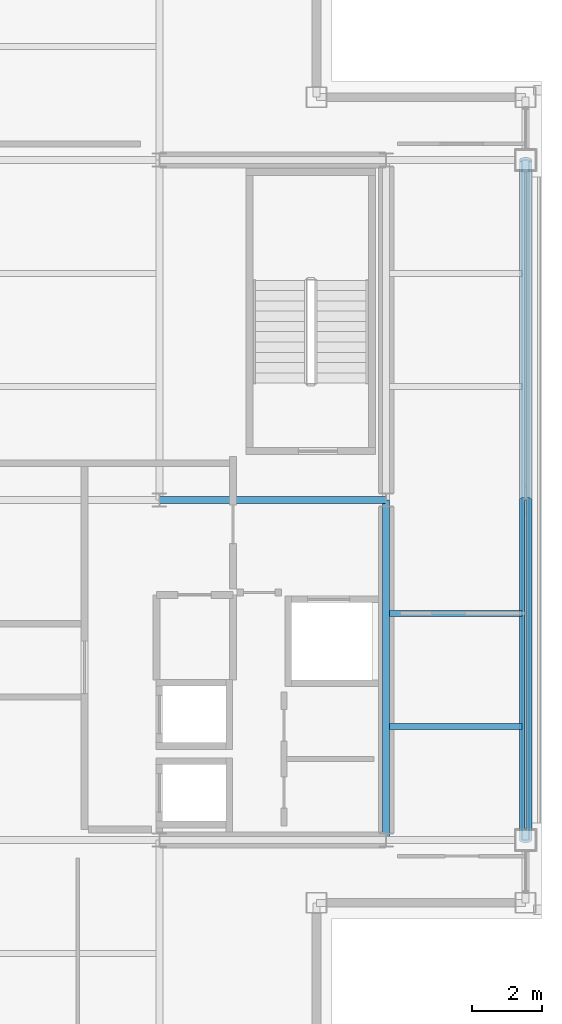
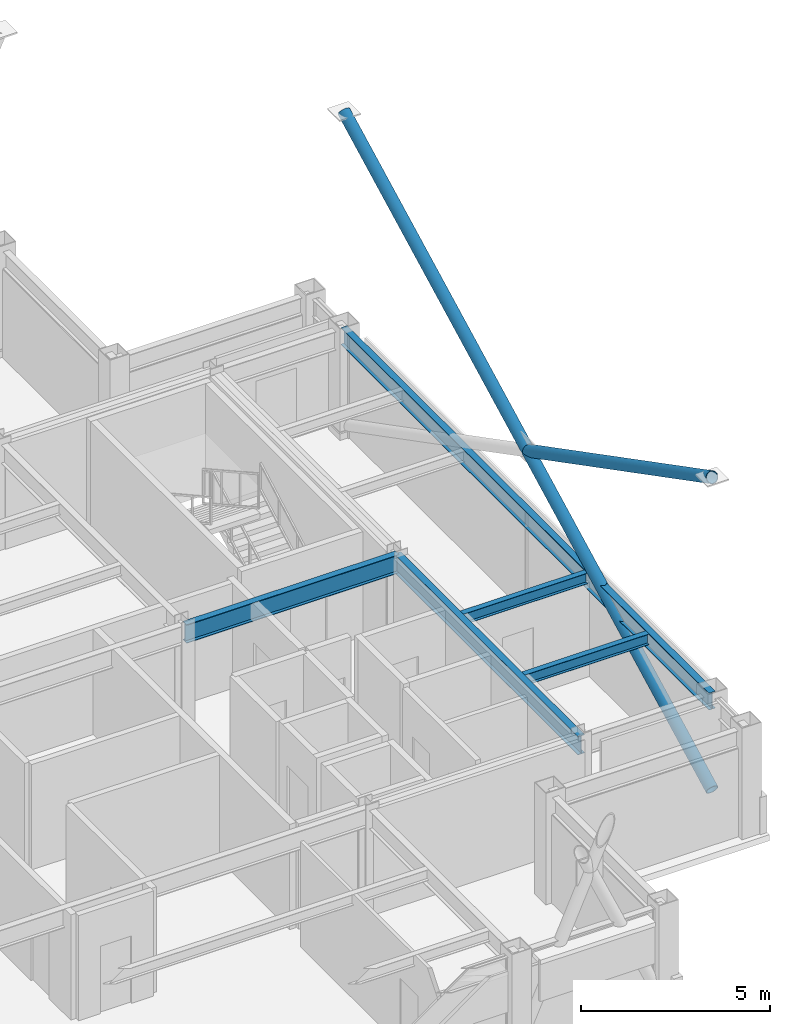
# One storey, part 14 of 27: 5 beams, 3 members, 1 element without a shape of its own.
"""IFC4 building model written with IfcOpenShell, lengths in metres."""

from ifc_helpers import new_model, si_unit, direction, frame, origin, origin_2d, place, context, subcontext, project, spatial, hollow_rectangle, hollow_circle, i_section, extrude, material, layer, layer_set, material_profile, profile_set, type_object, element, aggregate, save


model = new_model("IFC4")

# Units and contexts
model_context = context("Model", 3, precision=1e-05, world=origin(), true_north=direction((0.0, 1.0)))
body_context = subcontext(model_context, "Body", "Model", "MODEL_VIEW")
ifc_project = project(units=[si_unit("LENGTHUNIT", "METRE"), si_unit("AREAUNIT", "SQUARE_METRE"), si_unit("VOLUMEUNIT", "CUBIC_METRE"), si_unit("PLANEANGLEUNIT", "RADIAN"), si_unit("MASSUNIT", "GRAM", prefix="KILO")], contexts=[model_context])

# Site, building, storey
site_placement = place(None, origin())
site = spatial("IfcSite", under=ifc_project, at=site_placement, CompositionType="ELEMENT")
building_placement = place(site_placement, origin())
building = spatial("IfcBuilding", under=site, at=building_placement, Name="Brelmoor Portico Tower", CompositionType="ELEMENT")
storey_placement = place(building_placement, frame((0.0, 0.0, 258.0)))
storey = spatial("IfcBuildingStorey", under=building, at=storey_placement, Name="L68", CompositionType="ELEMENT", Elevation=258.0)

# Beams
ifc_material_1 = material(Name="Steel Q355B", Category="steel")
ifc_material_profile_1 = material_profile(ifc_material_1, i_section(OverallWidth=0.175048828125, OverallDepth=0.35009765625, WebThickness=0.007080078125, FlangeThickness=0.010986328125, at=origin_2d()), Name="HN 350x175x7x11")
ifc_profile_set_1 = profile_set([ifc_material_profile_1], Name="Steel Q355B")
beam_type_1 = type_object("IfcBeamType", Name="BM-JS-350", PredefinedType="JOIST", material=ifc_profile_set_1)
for number, where, z_axis, x_axis, name in (
    (1, (14.64990234375, -6.5, 3.22509765625), (1.0, 0.0, 0.0), (0.0, 1.0, 0.0), "L68 Secondary Wing Joist JS-E11"),
    (2, (14.64990234375, -3.25, 3.22509765625), (1.0, 0.0, 0.0), (0.0, 1.0, 0.0), "L68 Secondary Wing Joist JS-E12"),
):
    element("IfcBeam", number, at=place(storey_placement, frame(where, z_axis=z_axis, x_axis=x_axis)), inside=storey, type_object=beam_type_1, Name=name, PredefinedType="JOIST", context=body_context, shape_type="SweptSolid", body=[
        extrude(i_section(OverallWidth=0.175048828125, OverallDepth=0.35009765625, WebThickness=0.007080078125, FlangeThickness=0.010986328125, at=origin_2d()), origin(), (0.0, 0.0, 1.0), 3.800048828125),
    ])
ifc_material_profile_2 = material_profile(ifc_material_1, i_section(OverallWidth=0.199951171875, OverallDepth=0.60009765625, WebThickness=0.010986328125, FlangeThickness=0.01708984375, at=origin_2d()), Name="HN 600x200x11x17")
ifc_profile_set_2 = profile_set([ifc_material_profile_2], Name="Steel Q355B")
beam_type_2 = type_object("IfcBeamType", Name="BM-PG-600", PredefinedType="BEAM", material=ifc_profile_set_2)
beam_1_placement = place(storey_placement, frame((14.550048828125, -9.75, 3.10009765625), z_axis=(0.0, 1.0, 0.0), x_axis=(-1.0, 0.0, 0.0)))
element("IfcBeam", 3, at=beam_1_placement, inside=storey, type_object=beam_type_2, Name="L68 Primary Floor Girder PG-09", PredefinedType="BEAM", context=body_context, shape_type="SweptSolid", body=[
    extrude(i_section(OverallWidth=0.199951171875, OverallDepth=0.60009765625, WebThickness=0.010986328125, FlangeThickness=0.01708984375, at=origin_2d()), origin(), (0.0, 0.0, 1.0), 9.75),
])
beam_2_placement = place(storey_placement, frame((8.050048828125, 0.0, 3.10009765625), z_axis=(1.0, 0.0, 0.0), x_axis=(0.0, 1.0, 0.0)))
element("IfcBeam", 4, at=beam_2_placement, inside=storey, type_object=beam_type_2, Name="L68 Primary Floor Girder PG-18", PredefinedType="BEAM", context=body_context, shape_type="SweptSolid", body=[
    extrude(i_section(OverallWidth=0.199951171875, OverallDepth=0.60009765625, WebThickness=0.010986328125, FlangeThickness=0.01708984375, at=origin_2d()), origin(), (0.0, 0.0, 1.0), 6.5),
])
ifc_material_profile_3 = material_profile(ifc_material_1, i_section(OverallWidth=0.199951171875, OverallDepth=0.550048828125, WebThickness=0.010009765625, FlangeThickness=0.01611328125, at=origin_2d()), Name="HN 550x200x10x16")
ifc_profile_set_3 = profile_set([ifc_material_profile_3], Name="Steel Q355B")
beam_type_3 = type_object("IfcBeamType", Name="BM-SP-550", PredefinedType="SPANDREL", material=ifc_profile_set_3)
beam_3_placement = place(storey_placement, frame((18.550048828125, -9.75, 3.125), z_axis=(0.0, 1.0, 0.0), x_axis=(-1.0, 0.0, 0.0)))
element("IfcBeam", 5, at=beam_3_placement, inside=storey, type_object=beam_type_3, Name="L68 Perimeter Spandrel Beam SP-19", PredefinedType="SPANDREL", context=body_context, shape_type="SweptSolid", body=[
    extrude(i_section(OverallWidth=0.199951171875, OverallDepth=0.550048828125, WebThickness=0.010009765625, FlangeThickness=0.01611328125, at=origin_2d()), origin(), (0.0, 0.0, 1.0), 19.5),
])

# Members
ifc_material_profile_4 = material_profile(ifc_material_1, hollow_circle(Radius=0.177978515625, WallThickness=0.01611328125, at=origin_2d()), Name="CHS 356x16")
ifc_profile_set_4 = profile_set([ifc_material_profile_4], Name="Steel Q355B")
member_type_1 = type_object("IfcMemberType", Name="MB-BELT-DIAG2", PredefinedType="BRACE", material=ifc_profile_set_4)
member_1_placement = place(storey_placement, frame((18.550048828125, -9.75, 0.25), z_axis=(0.0, 0.887959386012, 0.459921872488), x_axis=(-1.0, 0.0, 0.0)))
element("IfcMember", 6, at=member_1_placement, inside=storey, type_object=member_type_1, Name="L68 Continuous Mega-X Brace 154A", PredefinedType="BRACE", context=body_context, shape_type="SweptSolid", body=[
    extrude(hollow_circle(Radius=0.177978515625, WallThickness=0.01611328125, at=origin_2d()), origin(), (0.0, 0.0, 1.0), 21.96044921875),
])
member_2_placement = place(storey_placement, frame((18.550048828125, 0.0, 5.300048828125), z_axis=(0.0, -0.887959386012, 0.459921872488), x_axis=(1.0, 0.0, 0.0)))
element("IfcMember", 7, at=member_2_placement, inside=storey, type_object=member_type_1, Name="L68 Split Mega-X Brace 154B2", PredefinedType="BRACE", context=body_context, shape_type="SweptSolid", body=[
    extrude(hollow_circle(Radius=0.177978515625, WallThickness=0.01611328125, at=origin_2d()), origin(), (0.0, 0.0, 1.0), 10.980224609375),
])

# Curtain wall, member
ifc_material_2 = material(Name="Anodised Aluminium Alloy 6063-T6", Category="aluminium")
ifc_layer = layer(ifc_material_2, 0.179931640625)
ifc_layer_set = layer_set([ifc_layer], Name="Anodised Aluminium Alloy 6063-T6")
curtain_wall_type = type_object("IfcCurtainWallType", Name="CW-TOWER-Z4-XB", PredefinedType="NOTDEFINED", material=ifc_layer_set)
curtain_wall_placement = place(storey_placement, origin())
curtain_wall = element("IfcCurtainWall", 8, at=curtain_wall_placement, inside=storey, type_object=curtain_wall_type, Name="L68 Curtain Wall CW-L68-04-2", PredefinedType="NOTDEFINED")
ifc_material_profile_5 = material_profile(ifc_material_2, hollow_rectangle(XDim=0.06005859375, YDim=0.125, WallThickness=0.00341796875, at=origin_2d()), Name="ALU TRANSOM 60x125")
ifc_profile_set_5 = profile_set([ifc_material_profile_5], Name="Anodised Aluminium Alloy 6063-T6")
member_type_2 = type_object("IfcMemberType", Name="MB-CW-TRAN-125", PredefinedType="USERDEFINED", material=ifc_profile_set_5)
member_3_placement = place(storey_placement, frame((18.550048828125, -9.43994140625, 3.33740234375), z_axis=(0.0, 1.0, 0.0), x_axis=(-1.0, 0.0, 0.0)))
member_3 = element("IfcMember", 9, at=member_3_placement, type_object=member_type_2, Name="CW-L68-04-2 Transom 1-00", ObjectType="TRANSOM", PredefinedType="USERDEFINED", context=body_context, shape_type="SweptSolid", body=[
    extrude(hollow_rectangle(XDim=0.06005859375, YDim=0.125, WallThickness=0.00341796875, at=origin_2d()), origin(), (0.0, 0.0, 1.0), 9.43994140625),
])
aggregate(curtain_wall, [member_3])

save(model, "model.ifc")
